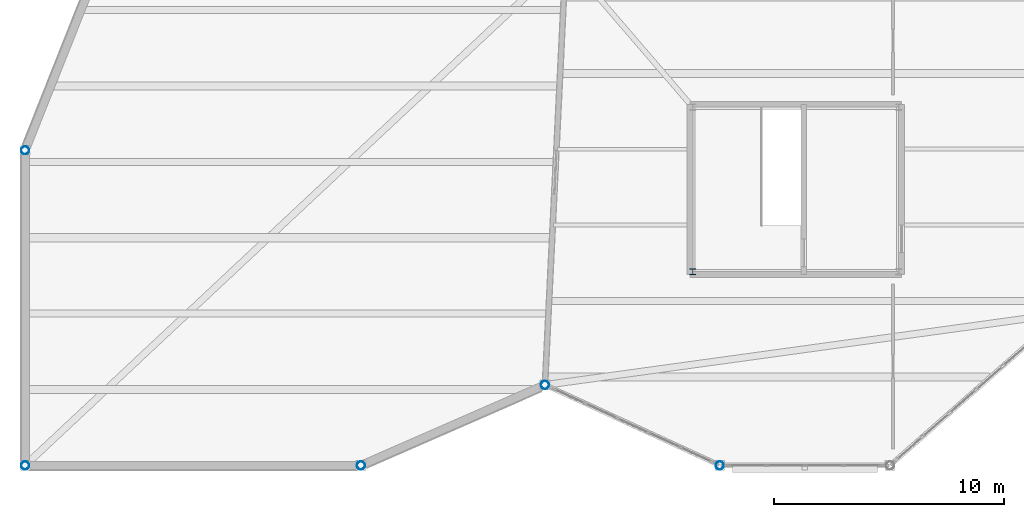
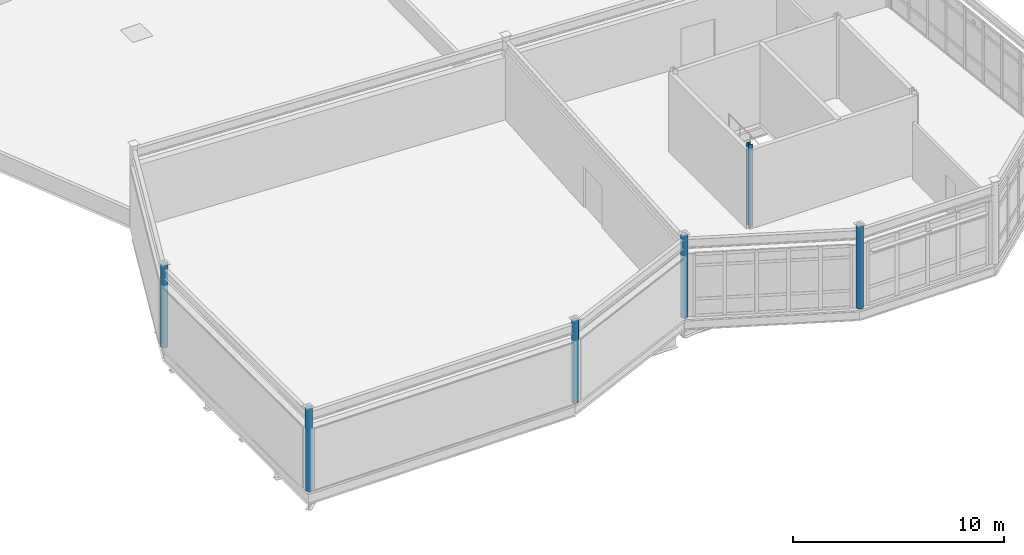
# One storey, part 1 of 114: 6 columns.
"""IFC4 building model written with IfcOpenShell, lengths in metres."""

from ifc_helpers import new_model, si_unit, direction, frame, origin, origin_2d, place, context, subcontext, project, spatial, hollow_circle, i_section, extrude, material, material_profile, profile_set, type_object, element, save


model = new_model("IFC4")

# Units and contexts
model_context = context("Model", 3, precision=1e-05, world=origin(), true_north=direction((0.0, 1.0)))
body_context = subcontext(model_context, "Body", "Model", "MODEL_VIEW")
ifc_project = project(units=[si_unit("LENGTHUNIT", "METRE"), si_unit("AREAUNIT", "SQUARE_METRE"), si_unit("VOLUMEUNIT", "CUBIC_METRE"), si_unit("PLANEANGLEUNIT", "RADIAN"), si_unit("MASSUNIT", "GRAM", prefix="KILO")], contexts=[model_context])

# Site, building, storey
site_placement = place(None, origin())
site = spatial("IfcSite", under=ifc_project, at=site_placement, CompositionType="ELEMENT")
building_placement = place(site_placement, origin())
building = spatial("IfcBuilding", under=site, at=building_placement, Name="Tameran Prism Museum", CompositionType="ELEMENT")
storey_placement = place(building_placement, frame((0.0, 0.0, 10.199951171875)))
storey = spatial("IfcBuildingStorey", under=building, at=storey_placement, Name="L02", CompositionType="ELEMENT", Elevation=10.199951171875)

# Columns
ifc_material_1 = material(Name="Steel Grade C350L0 (350 MPa)", Category="steel")
ifc_material_profile_1 = material_profile(ifc_material_1, hollow_circle(Radius=0.177734375, WallThickness=0.0126953125, at=origin_2d()))
ifc_profile_set_1 = profile_set([ifc_material_profile_1])
column_type_1 = type_object("IfcColumnType", Name="COL-CHS355", PredefinedType="COLUMN", material=ifc_profile_set_1)
for number, where, z_axis, x_axis, name in (
    (1, (0.0, 0.0, 0.0), (0.0, 0.0, 1.0), (1.0, 0.0, 0.0), "Column CV-01 L02"),
    (2, (0.0, 13.699951171875, 0.0), (0.0, 0.0, 1.0), (1.0, 0.0, 0.0), "Column CV-02 L02"),
    (3, (14.60009765625, 0.0, 0.0), (0.0, 0.0, 1.0), (1.0, 0.0, 0.0), "Column CV-11 L02"),
    (4, (22.60009765625, 3.5, 0.0), (0.0, 0.0, 1.0), (1.0, 0.0, 0.0), "Column CV-13 L02"),
    (5, (30.199951171875, 0.0, 0.0), (0.0, 0.0, 1.0), (1.0, 0.0, 0.0), "Column CV-18 L02"),
):
    element("IfcColumn", number, at=place(storey_placement, frame(where, z_axis=z_axis, x_axis=x_axis)), inside=storey, type_object=column_type_1, Name=name, PredefinedType="COLUMN", context=body_context, shape_type="SweptSolid", body=[
        extrude(hollow_circle(Radius=0.177734375, WallThickness=0.0126953125, at=origin_2d()), origin(), (0.0, 0.0, 1.0), 4.800048828125),
    ])
ifc_material_2 = material(Name="Steel Grade 300PLUS (300 MPa)", Category="steel")
ifc_material_profile_2 = material_profile(ifc_material_2, i_section(OverallWidth=0.25390625, OverallDepth=0.25390625, WebThickness=0.008544921875, FlangeThickness=0.01416015625, FilletRadius=0.0126953125, at=origin_2d()))
ifc_profile_set_2 = profile_set([ifc_material_profile_2])
column_type_2 = type_object("IfcColumnType", Name="COL-UC250B", PredefinedType="COLUMN", material=ifc_profile_set_2)
column_placement = place(storey_placement, frame((29.02001953125, 8.419921875, 0.0), z_axis=(0.0, 0.0, 1.0), x_axis=(1.0, 0.0, 0.0)))
element("IfcColumn", 6, at=column_placement, inside=storey, type_object=column_type_2, Name="Column CC-6-1 L02", PredefinedType="COLUMN", context=body_context, shape_type="SweptSolid", body=[
    extrude(i_section(OverallWidth=0.25390625, OverallDepth=0.25390625, WebThickness=0.008544921875, FlangeThickness=0.01416015625, FilletRadius=0.0126953125, at=origin_2d()), origin(), (0.0, 0.0, 1.0), 4.800048828125),
])

save(model, "model.ifc")
